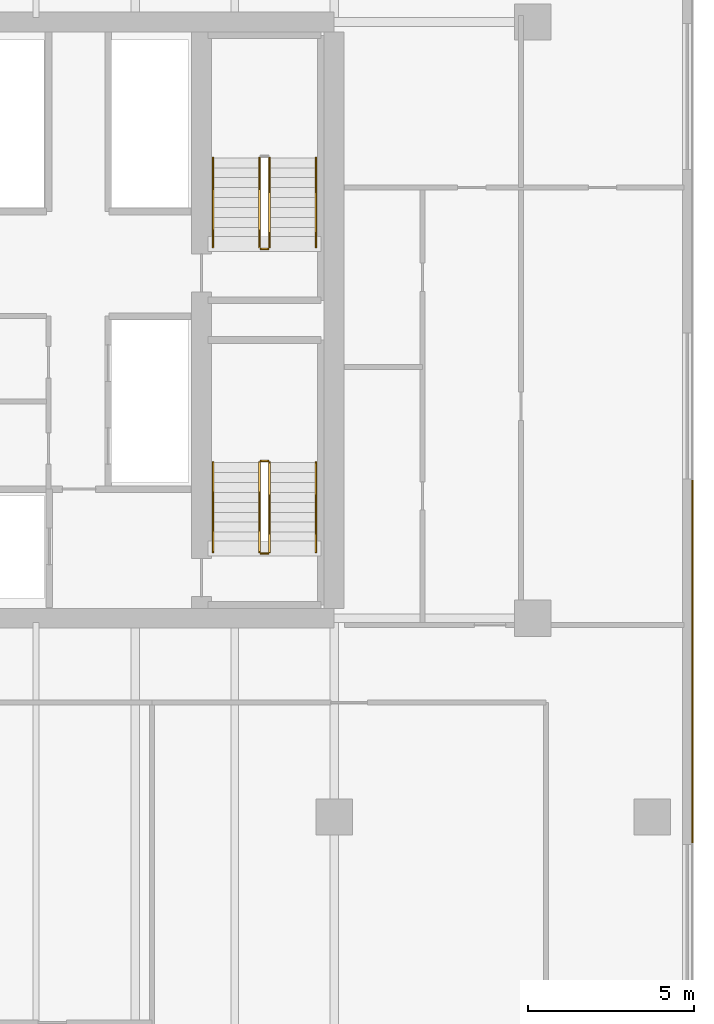
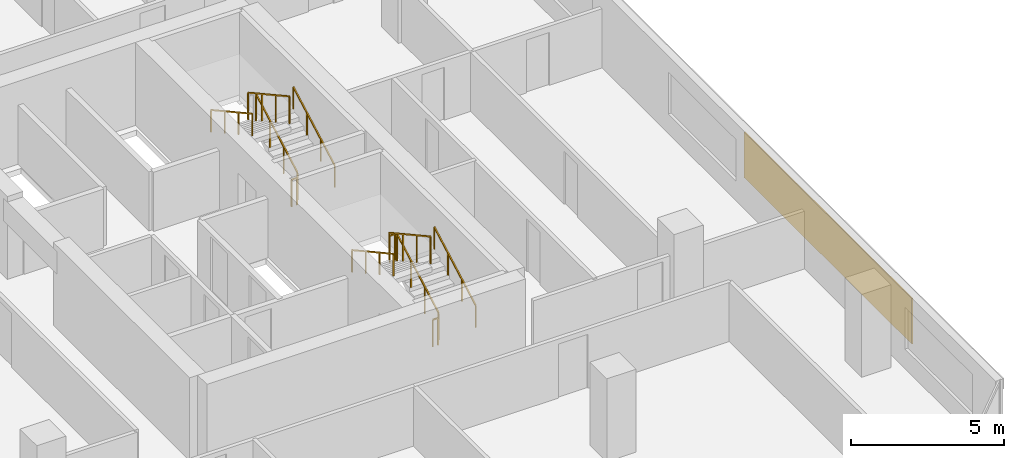
# One storey, part 32 of 34: 11 railings, 1 covering.
"""IFC4 building model written with IfcOpenShell, lengths in metres."""

import ifcopenshell
import ifcopenshell.guid

model = None  # the IFC model being written
_history = None  # IfcOwnerHistory: only IFC2X3 demands one
_inside = {}  # id of a spatial element -> (the spatial element, [elements in it])
_under = {}  # id of a project, library or spatial element -> (it, [spatial elements below it])
_declared = {}  # id of a project -> (the project, [libraries it declares])
_typed = {}  # id of a type object -> (the type object, [elements of that type])
_made_of = {}  # id of a material, layer set ... -> (it, [elements and type objects made of it])


def new_model(schema):
    """Start an empty IFC model of exactly this schema.

    Asked for "IFC4X3", IfcOpenShell would pick the latest addendum, in which some entities
    have other attributes; the version numbers below select the first issue.
    IFC2X3 requires an IfcOwnerHistory on every rooted entity: one is made here for all.
    """
    global model, _history
    if schema == "IFC4X3":
        model = ifcopenshell.file(schema_version=(4, 3, 0, 0))
    else:
        model = ifcopenshell.file(schema=schema)
    _inside.clear()
    _under.clear()
    _declared.clear()
    _typed.clear()
    _made_of.clear()
    _history = None
    if model.schema == "IFC2X3":
        org = make("IfcOrganization", Name="unknown")
        user = make(
            "IfcPersonAndOrganization",
            ThePerson=make("IfcPerson", FamilyName="unknown"),
            TheOrganization=org,
        )
        app = make(
            "IfcApplication",
            ApplicationDeveloper=org,
            Version="unknown",
            ApplicationFullName="unknown",
            ApplicationIdentifier="unknown",
        )
        _history = make(
            "IfcOwnerHistory",
            OwningUser=user,
            OwningApplication=app,
            ChangeAction="ADDED",
            CreationDate=0,
        )
    return model


def make(cls, **values):
    """One entity of the class cls with the attributes given. An attribute that is None is left unset."""
    return model.create_entity(
        cls, **{name: value for name, value in values.items() if value is not None}
    )


def rooted(cls, **values):
    """An entity with a GlobalId (a new one), such as an element, a storey or a relation."""
    return make(cls, GlobalId=ifcopenshell.guid.new(), OwnerHistory=_history, **values)


def si_unit(unit_type, name, prefix=None):
    """IfcSIUnit, for example si_unit("LENGTHUNIT", "METRE", prefix="MILLI")."""
    return make("IfcSIUnit", UnitType=unit_type, Prefix=prefix, Name=name)


def assignment(units):
    """IfcUnitAssignment: the units of a project."""
    return None if units is None else make("IfcUnitAssignment", Units=units)


def point(xyz):
    """IfcCartesianPoint."""
    return None if xyz is None else make("IfcCartesianPoint", Coordinates=xyz)


def direction(xyz):
    """IfcDirection."""
    return None if xyz is None else make("IfcDirection", DirectionRatios=xyz)


def frame(location, z_axis=None, x_axis=None):
    """IfcAxis2Placement3D, a coordinate frame: its origin and axes. An axis left out is left unset."""
    return make(
        "IfcAxis2Placement3D",
        Location=point(location),
        Axis=direction(z_axis),
        RefDirection=direction(x_axis),
    )


def frame_2d(location, x_axis=None):
    """IfcAxis2Placement2D, a coordinate frame in the plane: its origin and x axis."""
    return make(
        "IfcAxis2Placement2D", Location=point(location), RefDirection=direction(x_axis)
    )


def origin():
    """The frame at (0, 0, 0) with its axes left unset."""
    return frame((0.0, 0.0, 0.0))


def origin_2d():
    """The frame at (0, 0) in the plane with its x axis left unset."""
    return frame_2d((0.0, 0.0))


def place(relative_to, where):
    """IfcLocalPlacement: puts the frame where relative to a parent placement (None: the world)."""
    return make(
        "IfcLocalPlacement", PlacementRelTo=relative_to, RelativePlacement=where
    )


def context(
    kind, dimensions, precision=None, world=None, true_north=None, identifier=None
):
    """IfcGeometricRepresentationContext, for example the 3D "Model" context."""
    return make(
        "IfcGeometricRepresentationContext",
        ContextIdentifier=identifier,
        ContextType=kind,
        CoordinateSpaceDimension=dimensions,
        Precision=precision,
        WorldCoordinateSystem=world,
        TrueNorth=true_north,
    )


def subcontext(parent, identifier, kind, view, scale=None):
    """IfcGeometricRepresentationSubContext, for example "Body" below "Model"."""
    return make(
        "IfcGeometricRepresentationSubContext",
        ContextIdentifier=identifier,
        ContextType=kind,
        ParentContext=parent,
        TargetScale=scale,
        TargetView=view,
    )


def project(units=None, contexts=None):
    """IfcProject with its units and contexts."""
    return rooted(
        "IfcProject",
        Name="project",
        RepresentationContexts=contexts,
        UnitsInContext=assignment(units),
    )


def spatial(cls, under=None, at=None, **own):
    """A site, building, storey or space (cls), placed at a placement, below another one or the project."""
    s = rooted(cls, ObjectPlacement=at, **own)
    if under is not None:
        _under.setdefault(under.id(), (under, []))[1].append(s)
    return s


def profile(cls, at=None, kind="AREA", **sizes):
    """A parametric profile (cls). Its sizes go by their IFC names, for example OverallWidth=200.0."""
    return make(cls, ProfileType=kind, Position=at, **sizes)


def rectangle(**sizes):
    """IfcRectangleProfileDef."""
    return profile("IfcRectangleProfileDef", **sizes)


def extrude(swept, where, along, depth):
    """IfcExtrudedAreaSolid: the profile swept, set in the frame where, extruded along a direction by depth."""
    return make(
        "IfcExtrudedAreaSolid",
        SweptArea=swept,
        Position=where,
        ExtrudedDirection=direction(along),
        Depth=depth,
    )


def shape(context_of_items, identifier, shape_type, items):
    """IfcShapeRepresentation: the items that make up one representation, for example the "Body"."""
    return make(
        "IfcShapeRepresentation",
        ContextOfItems=context_of_items,
        RepresentationIdentifier=identifier,
        RepresentationType=shape_type,
        Items=items,
    )


def material(Name=None, Category=None):
    """IfcMaterial."""
    return make("IfcMaterial", Name=Name, Category=Category)


def layer(
    of_material, thickness, ventilated=None, Name=None, Category=None, Priority=None
):
    """IfcMaterialLayer: one layer of a wall or slab, of a material (None: an air gap)."""
    return make(
        "IfcMaterialLayer",
        Material=of_material,
        LayerThickness=thickness,
        IsVentilated=ventilated,
        Name=Name,
        Category=Category,
        Priority=Priority,
    )


def layer_set(layers, Name=None):
    """IfcMaterialLayerSet."""
    return make("IfcMaterialLayerSet", MaterialLayers=layers, LayerSetName=Name)


def made_of(thing, what):
    """Note that an element or type object is made of a material, layer set ...; save() writes the relation."""
    if what is not None:
        _made_of.setdefault(what.id(), (what, []))[1].append(thing)
    return thing


def type_object(cls, material=None, **own):
    """A type object (cls), such as IfcWallType, which elements share."""
    return made_of(rooted(cls, **own), material)


def element(
    cls,
    number,
    at=None,
    inside=None,
    cuts=None,
    type_object=None,
    material=None,
    context=None,
    identifier="Body",
    shape_type=None,
    held_by="IfcProductDefinitionShape",
    body=None,
    shapes=None,
    **own,
):
    """One element of the class cls, such as IfcWall. Its Tag is "e" and its number.

    at: its placement. inside: the storey or other place that contains it. cuts: it is an
    opening in that element (IfcRelVoidsElement). A single representation is given by context,
    identifier, shape_type and body (its items); several are given by shapes. held_by: the class
    of the entity that holds the representations. save() writes the other relations.
    """
    e = rooted(cls, Tag="e%d" % number, ObjectPlacement=at, **own)
    if body is not None:
        shapes = [shape(context, identifier, shape_type, body)]
    if shapes is not None:
        e.Representation = make(held_by, Representations=shapes)
    if inside is not None:
        _inside.setdefault(inside.id(), (inside, []))[1].append(e)
    if cuts is not None:
        rooted(
            "IfcRelVoidsElement", RelatingBuildingElement=cuts, RelatedOpeningElement=e
        )
    if type_object is not None:
        _typed.setdefault(type_object.id(), (type_object, []))[1].append(e)
    return made_of(e, material)


def aggregate(whole, parts):
    """IfcRelAggregates: a whole, such as a stair, and the parts it consists of."""
    return rooted("IfcRelAggregates", RelatingObject=whole, RelatedObjects=parts)


def save(model, path):
    """Write the relations noted so far, then the file.

    IfcRelAggregates (storeys below a building ...), IfcRelContainedInSpatialStructure (elements
    in a storey), IfcRelDefinesByType, IfcRelAssociatesMaterial and IfcRelDeclares: one each for
    every whole, place, type object, material and project.
    """
    for whole, parts in _under.values():
        aggregate(whole, parts)
    for where, things in _inside.values():
        rooted(
            "IfcRelContainedInSpatialStructure",
            RelatedElements=things,
            RelatingStructure=where,
        )
    for kind, things in _typed.values():
        rooted("IfcRelDefinesByType", RelatedObjects=things, RelatingType=kind)
    for what, things in _made_of.values():
        rooted("IfcRelAssociatesMaterial", RelatedObjects=things, RelatingMaterial=what)
    for by, libraries in _declared.values():
        rooted("IfcRelDeclares", RelatingContext=by, RelatedDefinitions=libraries)
    model.write(path)


model = new_model("IFC4")

# Units and contexts
model_context = context("Model", 3, precision=1e-05, world=origin(), true_north=direction((0.0, 1.0)))
body_context = subcontext(model_context, "Body", "Model", "MODEL_VIEW")
ifc_project = project(units=[si_unit("LENGTHUNIT", "METRE"), si_unit("AREAUNIT", "SQUARE_METRE"), si_unit("VOLUMEUNIT", "CUBIC_METRE"), si_unit("PLANEANGLEUNIT", "RADIAN"), si_unit("MASSUNIT", "GRAM", prefix="KILO")], contexts=[model_context])

# Site, building, storey
site_placement = place(None, origin())
site = spatial("IfcSite", under=ifc_project, at=site_placement, CompositionType="ELEMENT")
building_placement = place(site_placement, origin())
building = spatial("IfcBuilding", under=site, at=building_placement, Name="Tanjung Sevakor Pilgrim Tower", CompositionType="ELEMENT")
storey_placement = place(building_placement, frame((0.0, 0.0, 55.43994140625)))
storey = spatial("IfcBuildingStorey", under=building, at=storey_placement, Name="L15", CompositionType="ELEMENT", Elevation=55.43994140625)

# Covering
ifc_material_1 = material(Name="Reconstructed Limestone Cladding", Category="masonry")
ifc_layer = layer(ifc_material_1, 0.044921875)
ifc_layer_set = layer_set([ifc_layer], Name="COV-CLAD-LIMESTONE")
covering_type = type_object("IfcCoveringType", Name="COV-CLAD-LIMESTONE", PredefinedType="CLADDING", material=ifc_layer_set)
covering_placement = place(storey_placement, frame((100.822509765625, 23.28955078125, 0.85009765625), z_axis=(0.0, 0.0, 1.0), x_axis=(0.0, 1.0, 0.0)))
element("IfcCovering", 1, at=covering_placement, inside=storey, type_object=covering_type, Name="L15 Warm Limestone Pier Panel EW-L15-MAIN-7-1", PredefinedType="CLADDING", context=body_context, shape_type="SweptSolid", body=[
    extrude(rectangle(XDim=10.94091796875, YDim=0.044921875, at=origin_2d()), origin(), (0.0, 0.0, 1.0), 1.81005859375),
])

# Railings
ifc_material_2 = material(Name="Steel S355J2", Category="steel")
railing_type_1 = type_object("IfcRailingType", Name="RL-STAIR-GUARD", PredefinedType="GUARDRAIL", material=ifc_material_2)
railing_1_placement = place(storey_placement, frame((88.050048828125, 26.60009765625, 0.1650390625)))
element("IfcRailing", 2, at=railing_1_placement, inside=storey, type_object=railing_type_1, Name="L15 TS-E1 stair guard 1", PredefinedType="GUARDRAIL", context=body_context, shape_type="SweptSolid", body=[
    extrude(rectangle(XDim=0.0479, YDim=0.0479), frame((0.0, 0.0, 1.076171875), z_axis=(0.0, 0.876197507361, 0.481952205197), x_axis=(-1.0, 0.0, 0.0)), (0.0, 0.0, 1.0), 3.08154296875),
    extrude(rectangle(XDim=0.042, YDim=0.042), origin(), (0.0, 0.0, 1.0), 1.052001953125),
    extrude(rectangle(XDim=0.042, YDim=0.042), frame((0.0, 0.89990234375, 0.4951171875)), (0.0, 0.0, 1.0), 1.052001953125),
    extrude(rectangle(XDim=0.042, YDim=0.042), frame((0.0, 1.800048828125, 0.989990234375)), (0.0, 0.0, 1.0), 1.052001953125),
    extrude(rectangle(XDim=0.042, YDim=0.042), frame((0.0, 2.699951171875, 1.485107421875)), (0.0, 0.0, 1.0), 1.052001953125),
])
railing_2_placement = place(storey_placement, frame((88.0, 29.35009765625, 1.650146484375)))
element("IfcRailing", 3, at=railing_2_placement, inside=storey, type_object=railing_type_1, Name="L15 TS-E1 stair guard 2", PredefinedType="GUARDRAIL", context=body_context, shape_type="SweptSolid", body=[
    extrude(rectangle(XDim=0.0479, YDim=0.0479), frame((0.0, 0.0, 1.076171875), z_axis=(-1.0, 0.0, 0.0), x_axis=(0.0, -1.0, 0.0)), (0.0, 0.0, 1.0), 0.199951171875),
    extrude(rectangle(XDim=0.042, YDim=0.042), origin(), (0.0, 0.0, 1.0), 1.052001953125),
    extrude(rectangle(XDim=0.042, YDim=0.042), frame((-0.199951171875, 0.0, 0.0)), (0.0, 0.0, 1.0), 1.052001953125),
])
railing_3_placement = place(storey_placement, frame((87.75, 29.300048828125, 1.81494140625)))
element("IfcRailing", 4, at=railing_3_placement, inside=storey, type_object=railing_type_1, Name="L15 TS-E1 stair guard 3", PredefinedType="GUARDRAIL", context=body_context, shape_type="SweptSolid", body=[
    extrude(rectangle(XDim=0.0479, YDim=0.0479), frame((0.0, 0.0, 1.076171875), z_axis=(0.0, -0.876197507361, 0.481952205197), x_axis=(1.0, 0.0, 0.0)), (0.0, 0.0, 1.0), 3.08154296875),
    extrude(rectangle(XDim=0.042, YDim=0.042), origin(), (0.0, 0.0, 1.0), 1.052001953125),
    extrude(rectangle(XDim=0.042, YDim=0.042), frame((0.0, -0.89990234375, 0.4951171875)), (0.0, 0.0, 1.0), 1.052001953125),
    extrude(rectangle(XDim=0.042, YDim=0.042), frame((0.0, -1.800048828125, 0.989990234375)), (0.0, 0.0, 1.0), 1.052001953125),
    extrude(rectangle(XDim=0.042, YDim=0.042), frame((0.0, -2.699951171875, 1.485107421875)), (0.0, 0.0, 1.0), 1.052001953125),
])
railing_4_placement = place(storey_placement, frame((88.0, 26.550048828125, 0.0)))
element("IfcRailing", 5, at=railing_4_placement, inside=storey, type_object=railing_type_1, Name="L15 TS-E1 stair guard 4", PredefinedType="GUARDRAIL", context=body_context, shape_type="SweptSolid", body=[
    extrude(rectangle(XDim=0.0479, YDim=0.0479), frame((0.0, 0.0, 1.076171875), z_axis=(-1.0, 0.0, 0.0), x_axis=(0.0, -1.0, 0.0)), (0.0, 0.0, 1.0), 0.199951171875),
    extrude(rectangle(XDim=0.042, YDim=0.042), origin(), (0.0, 0.0, 1.0), 1.052001953125),
    extrude(rectangle(XDim=0.042, YDim=0.042), frame((-0.199951171875, 0.0, 0.0)), (0.0, 0.0, 1.0), 1.052001953125),
])
railing_5_placement = place(storey_placement, frame((88.050048828125, 35.800048828125, 0.1650390625)))
element("IfcRailing", 6, at=railing_5_placement, inside=storey, type_object=railing_type_1, Name="L15 TS-E2 stair guard 1", PredefinedType="GUARDRAIL", context=body_context, shape_type="SweptSolid", body=[
    extrude(rectangle(XDim=0.0479, YDim=0.0479), frame((0.0, 0.0, 1.076171875), z_axis=(0.0, 0.876197507361, 0.481952205197), x_axis=(-1.0, 0.0, 0.0)), (0.0, 0.0, 1.0), 3.08154296875),
    extrude(rectangle(XDim=0.042, YDim=0.042), origin(), (0.0, 0.0, 1.0), 1.052001953125),
    extrude(rectangle(XDim=0.042, YDim=0.042), frame((0.0, 0.89990234375, 0.4951171875)), (0.0, 0.0, 1.0), 1.052001953125),
    extrude(rectangle(XDim=0.042, YDim=0.042), frame((0.0, 1.800048828125, 0.989990234375)), (0.0, 0.0, 1.0), 1.052001953125),
    extrude(rectangle(XDim=0.042, YDim=0.042), frame((0.0, 2.699951171875, 1.485107421875)), (0.0, 0.0, 1.0), 1.052001953125),
])
railing_6_placement = place(storey_placement, frame((87.75, 38.5, 1.81494140625)))
element("IfcRailing", 7, at=railing_6_placement, inside=storey, type_object=railing_type_1, Name="L15 TS-E2 stair guard 3", PredefinedType="GUARDRAIL", context=body_context, shape_type="SweptSolid", body=[
    extrude(rectangle(XDim=0.0479, YDim=0.0479), frame((0.0, 0.0, 1.076171875), z_axis=(0.0, -0.876197507361, 0.481952205197), x_axis=(1.0, 0.0, 0.0)), (0.0, 0.0, 1.0), 3.08154296875),
    extrude(rectangle(XDim=0.042, YDim=0.042), origin(), (0.0, 0.0, 1.0), 1.052001953125),
    extrude(rectangle(XDim=0.042, YDim=0.042), frame((0.0, -0.89990234375, 0.4951171875)), (0.0, 0.0, 1.0), 1.052001953125),
    extrude(rectangle(XDim=0.042, YDim=0.042), frame((0.0, -1.800048828125, 0.989990234375)), (0.0, 0.0, 1.0), 1.052001953125),
    extrude(rectangle(XDim=0.042, YDim=0.042), frame((0.0, -2.699951171875, 1.485107421875)), (0.0, 0.0, 1.0), 1.052001953125),
])
railing_7_placement = place(storey_placement, frame((88.0, 35.75, 0.0)))
element("IfcRailing", 8, at=railing_7_placement, inside=storey, type_object=railing_type_1, Name="L15 TS-E2 stair guard 4", PredefinedType="GUARDRAIL", context=body_context, shape_type="SweptSolid", body=[
    extrude(rectangle(XDim=0.0479, YDim=0.0479), frame((0.0, 0.0, 1.076171875), z_axis=(-1.0, 0.0, 0.0), x_axis=(0.0, -1.0, 0.0)), (0.0, 0.0, 1.0), 0.199951171875),
    extrude(rectangle(XDim=0.042, YDim=0.042), origin(), (0.0, 0.0, 1.0), 1.052001953125),
    extrude(rectangle(XDim=0.042, YDim=0.042), frame((-0.199951171875, 0.0, 0.0)), (0.0, 0.0, 1.0), 1.052001953125),
])
ifc_material_3 = material(Name="Steel S355J2", Category="steel")
railing_type_2 = type_object("IfcRailingType", Name="RL-STAIR-HAND", PredefinedType="HANDRAIL", material=ifc_material_3)
railing_8_placement = place(storey_placement, frame((89.449951171875, 26.60009765625, 0.1650390625)))
element("IfcRailing", 9, at=railing_8_placement, inside=storey, type_object=railing_type_2, Name="L15 TS-E1 stair handrail 1", PredefinedType="HANDRAIL", context=body_context, shape_type="SweptSolid", body=[
    extrude(rectangle(XDim=0.0479, YDim=0.0479), frame((0.0, 0.0, 0.8759765625), z_axis=(0.0, 0.876197507361, 0.481952205197), x_axis=(-1.0, 0.0, 0.0)), (0.0, 0.0, 1.0), 3.08154296875),
    extrude(rectangle(XDim=0.042, YDim=0.042), origin(), (0.0, 0.0, 1.0), 0.851806640625),
    extrude(rectangle(XDim=0.042, YDim=0.042), frame((0.0, 0.89990234375, 0.4951171875)), (0.0, 0.0, 1.0), 0.851806640625),
    extrude(rectangle(XDim=0.042, YDim=0.042), frame((0.0, 1.800048828125, 0.989990234375)), (0.0, 0.0, 1.0), 0.851806640625),
    extrude(rectangle(XDim=0.042, YDim=0.042), frame((0.0, 2.699951171875, 1.485107421875)), (0.0, 0.0, 1.0), 0.851806640625),
])
railing_9_placement = place(storey_placement, frame((86.35009765625, 29.300048828125, 1.81494140625)))
element("IfcRailing", 10, at=railing_9_placement, inside=storey, type_object=railing_type_2, Name="L15 TS-E1 stair handrail 2", PredefinedType="HANDRAIL", context=body_context, shape_type="SweptSolid", body=[
    extrude(rectangle(XDim=0.0479, YDim=0.0479), frame((0.0, 0.0, 0.8759765625), z_axis=(0.0, -0.876197507361, 0.481952205197), x_axis=(1.0, 0.0, 0.0)), (0.0, 0.0, 1.0), 3.08154296875),
    extrude(rectangle(XDim=0.042, YDim=0.042), origin(), (0.0, 0.0, 1.0), 0.851806640625),
    extrude(rectangle(XDim=0.042, YDim=0.042), frame((0.0, -0.89990234375, 0.4951171875)), (0.0, 0.0, 1.0), 0.851806640625),
    extrude(rectangle(XDim=0.042, YDim=0.042), frame((0.0, -1.800048828125, 0.989990234375)), (0.0, 0.0, 1.0), 0.851806640625),
    extrude(rectangle(XDim=0.042, YDim=0.042), frame((0.0, -2.699951171875, 1.485107421875)), (0.0, 0.0, 1.0), 0.851806640625),
])
railing_10_placement = place(storey_placement, frame((89.449951171875, 35.800048828125, 0.1650390625)))
element("IfcRailing", 11, at=railing_10_placement, inside=storey, type_object=railing_type_2, Name="L15 TS-E2 stair handrail 1", PredefinedType="HANDRAIL", context=body_context, shape_type="SweptSolid", body=[
    extrude(rectangle(XDim=0.0479, YDim=0.0479), frame((0.0, 0.0, 0.8759765625), z_axis=(0.0, 0.876197507361, 0.481952205197), x_axis=(-1.0, 0.0, 0.0)), (0.0, 0.0, 1.0), 3.08154296875),
    extrude(rectangle(XDim=0.042, YDim=0.042), origin(), (0.0, 0.0, 1.0), 0.851806640625),
    extrude(rectangle(XDim=0.042, YDim=0.042), frame((0.0, 0.89990234375, 0.4951171875)), (0.0, 0.0, 1.0), 0.851806640625),
    extrude(rectangle(XDim=0.042, YDim=0.042), frame((0.0, 1.800048828125, 0.989990234375)), (0.0, 0.0, 1.0), 0.851806640625),
    extrude(rectangle(XDim=0.042, YDim=0.042), frame((0.0, 2.699951171875, 1.485107421875)), (0.0, 0.0, 1.0), 0.851806640625),
])
railing_11_placement = place(storey_placement, frame((86.35009765625, 38.5, 1.81494140625)))
element("IfcRailing", 12, at=railing_11_placement, inside=storey, type_object=railing_type_2, Name="L15 TS-E2 stair handrail 2", PredefinedType="HANDRAIL", context=body_context, shape_type="SweptSolid", body=[
    extrude(rectangle(XDim=0.0479, YDim=0.0479), frame((0.0, 0.0, 0.8759765625), z_axis=(0.0, -0.876197507361, 0.481952205197), x_axis=(1.0, 0.0, 0.0)), (0.0, 0.0, 1.0), 3.08154296875),
    extrude(rectangle(XDim=0.042, YDim=0.042), origin(), (0.0, 0.0, 1.0), 0.851806640625),
    extrude(rectangle(XDim=0.042, YDim=0.042), frame((0.0, -0.89990234375, 0.4951171875)), (0.0, 0.0, 1.0), 0.851806640625),
    extrude(rectangle(XDim=0.042, YDim=0.042), frame((0.0, -1.800048828125, 0.989990234375)), (0.0, 0.0, 1.0), 0.851806640625),
    extrude(rectangle(XDim=0.042, YDim=0.042), frame((0.0, -2.699951171875, 1.485107421875)), (0.0, 0.0, 1.0), 0.851806640625),
])

save(model, "model.ifc")
